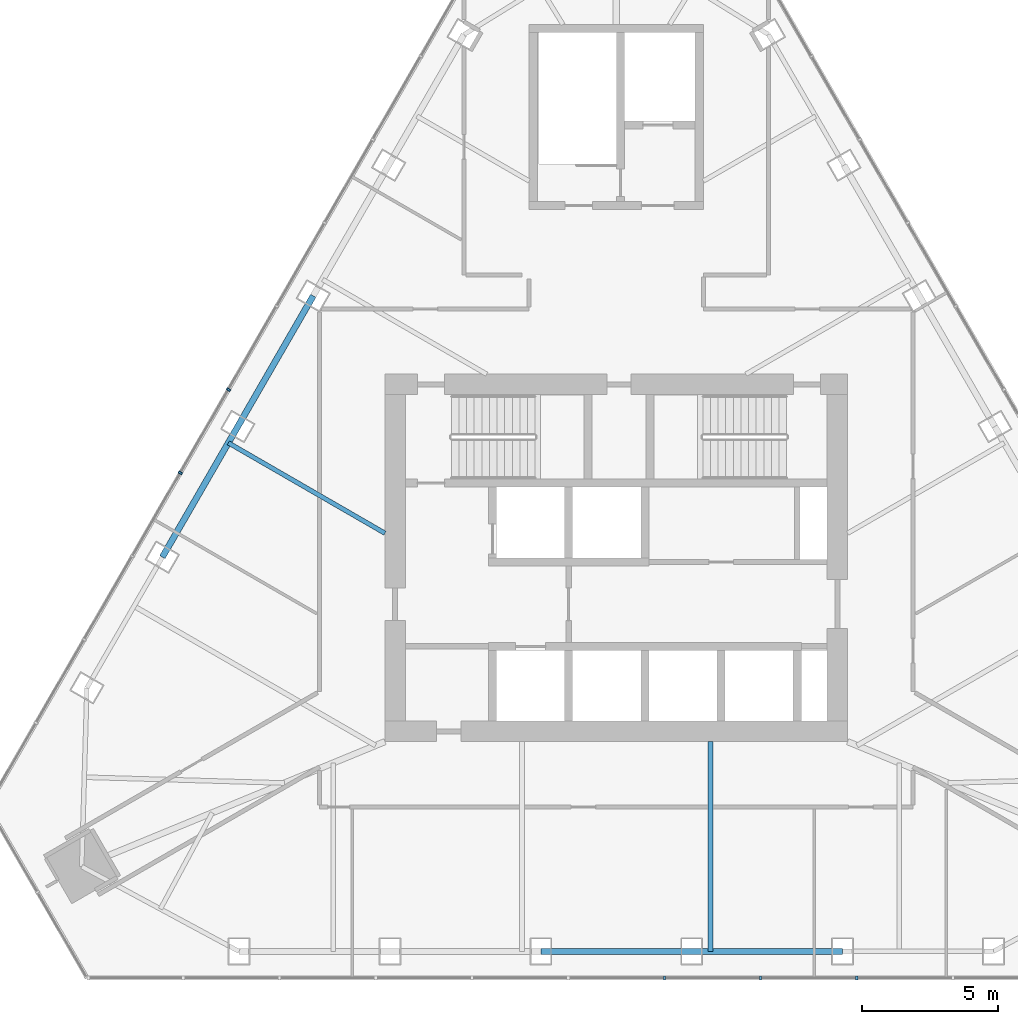
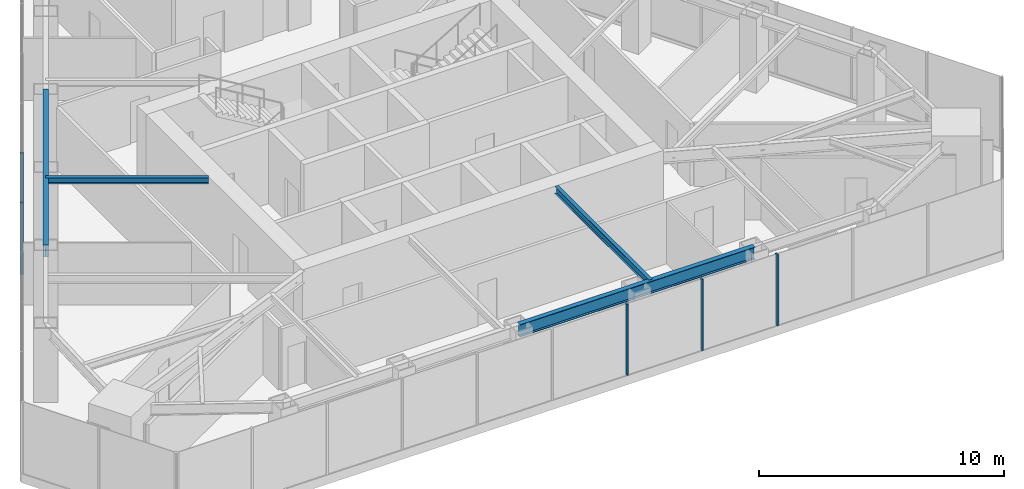
# One storey, part 4 of 13: 5 members, 4 beams, 2 elements without a shape of their own.
"""IFC4 building model written with IfcOpenShell, lengths in metres."""

from ifc_helpers import new_model, si_unit, direction, frame, origin, origin_2d, place, context, subcontext, project, spatial, rectangle, i_section, extrude, material, layer, layer_set, material_profile, profile_set, type_object, element, aggregate, save


model = new_model("IFC4")

# Units and contexts
model_context = context("Model", 3, precision=1e-05, world=origin(), true_north=direction((0.0, 1.0)))
body_context = subcontext(model_context, "Body", "Model", "MODEL_VIEW")
ifc_project = project(units=[si_unit("LENGTHUNIT", "METRE"), si_unit("AREAUNIT", "SQUARE_METRE"), si_unit("VOLUMEUNIT", "CUBIC_METRE"), si_unit("PLANEANGLEUNIT", "RADIAN"), si_unit("MASSUNIT", "GRAM", prefix="KILO")], contexts=[model_context])

# Site, building, storey
site_placement = place(None, origin())
site = spatial("IfcSite", under=ifc_project, at=site_placement, CompositionType="ELEMENT")
building_placement = place(site_placement, origin())
building = spatial("IfcBuilding", under=site, at=building_placement, Name="Firuza Gate Tower and Library", CompositionType="ELEMENT")
storey_placement = place(building_placement, frame((0.0, 0.0, 335.60009765625)))
storey = spatial("IfcBuildingStorey", under=building, at=storey_placement, Name="L82", CompositionType="ELEMENT", Elevation=335.60009765625)

# Curtain wall, members
ifc_material_1 = material(Name="Aluminium 6063-T6", Category="aluminium")
ifc_layer = layer(ifc_material_1, 0.14990234375)
ifc_layer_set = layer_set([ifc_layer], Name="Ceramic screen wall, crown plant")
curtain_wall_type = type_object("IfcCurtainWallType", Name="Ceramic screen wall, crown plant", PredefinedType="NOTDEFINED", material=ifc_layer_set)
placement = place(storey_placement, origin())
curtain_wall_1 = element("IfcCurtainWall", 1, at=placement, inside=storey, type_object=curtain_wall_type, Name="CW6 L82 S", PredefinedType="NOTDEFINED")
ifc_material_2 = material(Name="Aluminium 6063-T6", Category="aluminium")
ifc_material_profile_1 = material_profile(ifc_material_2, rectangle(XDim=0.14990234375, YDim=0.080078125, at=origin_2d()))
ifc_profile_set_1 = profile_set([ifc_material_profile_1], Name="Aluminium 6063-T6")
member_type = type_object("IfcMemberType", Name="Curtain wall mullion 80x150", PredefinedType="MULLION", material=ifc_profile_set_1)
member_1_placement = place(storey_placement, frame((76.767578125, 59.5673828125, 0.14990234375), z_axis=(0.0, 0.0, 1.0), x_axis=(0.0, 1.0, 0.0)))
member_1 = element("IfcMember", 2, at=member_1_placement, type_object=member_type, Name="Mullion", PredefinedType="MULLION", context=body_context, shape_type="SweptSolid", body=[
    extrude(rectangle(XDim=0.14990234375, YDim=0.080078125, at=origin_2d()), origin(), (0.0, 0.0, 1.0), 3.550048828125),
])
member_2_placement = place(storey_placement, frame((80.302734375, 59.5673828125, 0.14990234375), z_axis=(0.0, 0.0, 1.0), x_axis=(0.0, 1.0, 0.0)))
member_2 = element("IfcMember", 3, at=member_2_placement, type_object=member_type, Name="Mullion", PredefinedType="MULLION", context=body_context, shape_type="SweptSolid", body=[
    extrude(rectangle(XDim=0.14990234375, YDim=0.080078125, at=origin_2d()), origin(), (0.0, 0.0, 1.0), 3.550048828125),
])
member_3_placement = place(storey_placement, frame((83.837890625, 59.5673828125, 0.14990234375), z_axis=(0.0, 0.0, 1.0), x_axis=(0.0, 1.0, 0.0)))
member_3 = element("IfcMember", 4, at=member_3_placement, type_object=member_type, Name="Mullion", PredefinedType="MULLION", context=body_context, shape_type="SweptSolid", body=[
    extrude(rectangle(XDim=0.14990234375, YDim=0.080078125, at=origin_2d()), origin(), (0.0, 0.0, 1.0), 3.550048828125),
])
aggregate(curtain_wall_1, [member_1, member_2, member_3])

curtain_wall_2 = element("IfcCurtainWall", 5, at=placement, inside=storey, type_object=curtain_wall_type, Name="CW6 L82 W", PredefinedType="NOTDEFINED")
member_4_placement = place(storey_placement, frame((60.751220703125, 81.185546875, 0.14990234375), z_axis=(0.0, 0.0, 1.0), x_axis=(0.866025403784, -0.5, 0.0)))
member_4 = element("IfcMember", 6, at=member_4_placement, type_object=member_type, Name="Mullion", PredefinedType="MULLION", context=body_context, shape_type="SweptSolid", body=[
    extrude(rectangle(XDim=0.14990234375, YDim=0.080078125, at=origin_2d()), origin(), (0.0, 0.0, 1.0), 3.550048828125),
])
member_5_placement = place(storey_placement, frame((58.983642578125, 78.1240234375, 0.14990234375), z_axis=(0.0, 0.0, 1.0), x_axis=(0.866025403784, -0.5, 0.0)))
member_5 = element("IfcMember", 7, at=member_5_placement, type_object=member_type, Name="Mullion", PredefinedType="MULLION", context=body_context, shape_type="SweptSolid", body=[
    extrude(rectangle(XDim=0.14990234375, YDim=0.080078125, at=origin_2d()), origin(), (0.0, 0.0, 1.0), 3.550048828125),
])
aggregate(curtain_wall_2, [member_4, member_5])

# Beams
ifc_material_3 = material(Name="Steel S355", Category="steel")
ifc_material_profile_2 = material_profile(ifc_material_3, i_section(OverallWidth=0.1650390625, OverallDepth=0.31005859375, WebThickness=0.005859375, FlangeThickness=0.009765625, at=origin_2d()))
ifc_profile_set_2 = profile_set([ifc_material_profile_2], Name="Steel S355")
beam_type_1 = type_object("IfcBeamType", Name="W310x39 Floor beam", PredefinedType="JOIST", material=ifc_profile_set_2)
beam_1_placement = place(storey_placement, frame((60.747314453125, 79.228515625, 3.544921875), z_axis=(0.866027065173, -0.499997122379, 0.0), x_axis=(0.499997122379, 0.866027065173, 0.0)))
element("IfcBeam", 8, at=beam_1_placement, inside=storey, type_object=beam_type_1, Name="Floor beam L82 s82", PredefinedType="JOIST", context=body_context, shape_type="SweptSolid", body=[
    extrude(i_section(OverallWidth=0.1650390625, OverallDepth=0.31005859375, WebThickness=0.005859375, FlangeThickness=0.009765625, at=origin_2d()), origin(), (0.0, 0.0, 1.0), 6.642578125),
])
ifc_material_4 = material(Name="Steel S355", Category="steel")
ifc_material_profile_3 = material_profile(ifc_material_4, i_section(OverallWidth=0.1708984375, OverallDepth=0.35498046875, WebThickness=0.007080078125, FlangeThickness=0.01171875, at=origin_2d()))
ifc_profile_set_3 = profile_set([ifc_material_profile_3], Name="Steel S355")
beam_type_2 = type_object("IfcBeamType", Name="W360x51 Floor beam", PredefinedType="JOIST", material=ifc_profile_set_3)
beam_2_placement = place(storey_placement, frame((78.46435546875, 60.54248046875, 3.5224609375), z_axis=(0.0, 1.0, 0.0), x_axis=(-1.0, 0.0, 0.0)))
element("IfcBeam", 9, at=beam_2_placement, inside=storey, type_object=beam_type_2, Name="Floor beam L82 s22", PredefinedType="JOIST", context=body_context, shape_type="SweptSolid", body=[
    extrude(i_section(OverallWidth=0.1708984375, OverallDepth=0.35498046875, WebThickness=0.007080078125, FlangeThickness=0.01171875, at=origin_2d()), origin(), (0.0, 0.0, 1.0), 7.70751953125),
])
ifc_material_5 = material(Name="Steel S355", Category="steel")
ifc_material_profile_4 = material_profile(ifc_material_5, i_section(OverallWidth=0.22900390625, OverallDepth=0.612060546875, WebThickness=0.011962890625, FlangeThickness=0.01953125, at=origin_2d()))
ifc_profile_set_4 = profile_set([ifc_material_profile_4], Name="Steel S355")
beam_type_3 = type_object("IfcBeamType", Name="W610x125 Edge beam", PredefinedType="SPANDREL", material=ifc_profile_set_4)
beam_3_placement = place(storey_placement, frame((72.228515625, 60.54248046875, 3.393798828125), z_axis=(1.0, 0.0, 0.0), x_axis=(0.0, 1.0, 0.0)))
element("IfcBeam", 10, at=beam_3_placement, inside=storey, type_object=beam_type_3, Name="Edge beam L82 e22", PredefinedType="SPANDREL", context=body_context, shape_type="SweptSolid", body=[
    extrude(i_section(OverallWidth=0.22900390625, OverallDepth=0.612060546875, WebThickness=0.011962890625, FlangeThickness=0.01953125, at=origin_2d()), origin(), (0.0, 0.0, 1.0), 11.085693359375),
])
beam_4_placement = place(storey_placement, frame((63.865234375, 84.62890625, 3.393798828125), z_axis=(-0.500004591975, -0.86602275259, 0.0), x_axis=(0.86602275259, -0.500004591975, 0.0)))
element("IfcBeam", 11, at=beam_4_placement, inside=storey, type_object=beam_type_3, Name="Edge beam L82 e82", PredefinedType="SPANDREL", context=body_context, shape_type="SweptSolid", body=[
    extrude(i_section(OverallWidth=0.22900390625, OverallDepth=0.612060546875, WebThickness=0.011962890625, FlangeThickness=0.01953125, at=origin_2d()), origin(), (0.0, 0.0, 1.0), 11.0859375),
])

save(model, "model.ifc")
